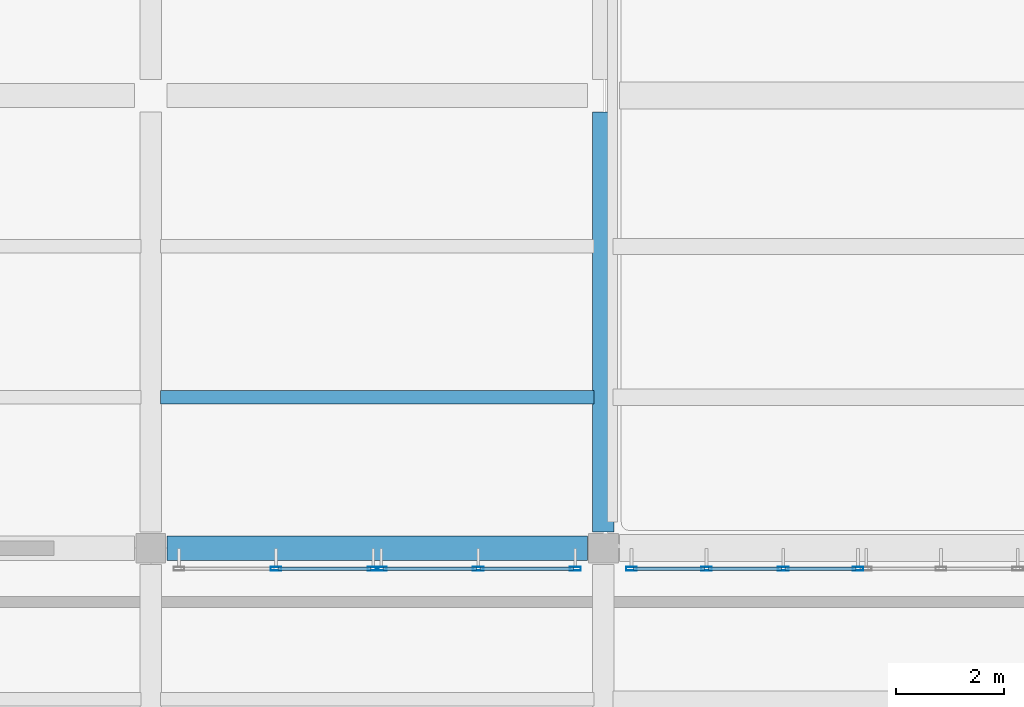
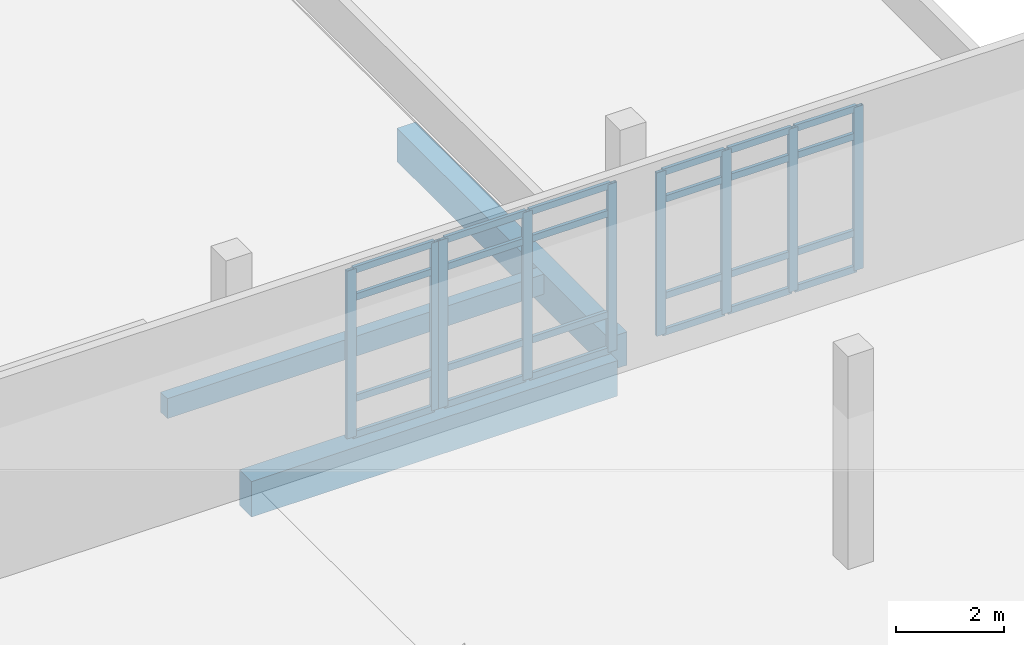
# One storey, part 27 of 63: 33 members, 3 beams, 3 elements without a shape of their own.
"""IFC4 building model written with IfcOpenShell, lengths in metres."""

from ifc_helpers import new_model, si_unit, derived_unit, direction, frame, origin, origin_2d, place, context, subcontext, project, spatial, rectangle, hollow_rectangle, extrude, material, layer, layer_set, material_profile, profile_set, type_object, element, aggregate, save


model = new_model("IFC4")

# Units and contexts
model_context = context("Model", 3, precision=1e-05, world=origin(), true_north=direction((0.0, 1.0)))
body_context = subcontext(model_context, "Body", "Model", "MODEL_VIEW")
ifc_project = project(units=[si_unit("LENGTHUNIT", "METRE"), si_unit("AREAUNIT", "SQUARE_METRE"), si_unit("VOLUMEUNIT", "CUBIC_METRE"), si_unit("PLANEANGLEUNIT", "RADIAN"), si_unit("MASSUNIT", "GRAM", prefix="KILO"), derived_unit("THERMALTRANSMITTANCEUNIT", [(si_unit("POWERUNIT", "WATT"), 1), (si_unit("LENGTHUNIT", "METRE"), -2), (si_unit("THERMODYNAMICTEMPERATUREUNIT", "KELVIN"), -1)])], contexts=[model_context])

# Site, building, storey
site_placement = place(None, origin())
site = spatial("IfcSite", under=ifc_project, at=site_placement, CompositionType="ELEMENT")
building_placement = place(site_placement, origin())
building = spatial("IfcBuilding", under=site, at=building_placement, Name="Elbkamm Science Centre", CompositionType="ELEMENT")
storey_placement = place(building_placement, frame((0.0, 0.0, 5.10009765625)))
storey = spatial("IfcBuildingStorey", under=building, at=storey_placement, Name="L01", CompositionType="ELEMENT", Elevation=5.10009765625)

# Beams
ifc_material_1 = material(Name="Concrete C40/50", Category="concrete")
ifc_material_profile_1 = material_profile(ifc_material_1, rectangle(XDim=0.39990234375, YDim=0.75, at=origin_2d()), Name="RC 400x750")
ifc_profile_set_1 = profile_set([ifc_material_profile_1], Name="Concrete C40/50")
beam_type_1 = type_object("IfcBeamType", Name="BM-RC-400x750", PredefinedType="BEAM", material=ifc_profile_set_1)
beam_1_placement = place(storey_placement, frame((151.199951171875, 75.89990234375, -0.625), z_axis=(0.0, 1.0, 0.0), x_axis=(-1.0, 0.0, 0.0)))
element("IfcBeam", 1, at=beam_1_placement, inside=storey, type_object=beam_type_1, Name="L01 Primary Y-Girder 069", PredefinedType="BEAM", context=body_context, shape_type="SweptSolid", body=[
    extrude(rectangle(XDim=0.39990234375, YDim=0.75, at=origin_2d()), origin(), (0.0, 0.0, 1.0), 7.800048828125),
])
ifc_material_profile_2 = material_profile(ifc_material_1, rectangle(XDim=0.449951171875, YDim=0.800048828125, at=origin_2d()), Name="RC 450x800")
ifc_profile_set_2 = profile_set([ifc_material_profile_2], Name="Concrete C40/50")
beam_type_2 = type_object("IfcBeamType", Name="BM-RC-450x800", PredefinedType="BEAM", material=ifc_profile_set_2)
beam_2_placement = place(storey_placement, frame((143.10009765625, 75.60009765625, -0.800048828125), z_axis=(1.0, 0.0, 0.0), x_axis=(0.0, 1.0, 0.0)))
element("IfcBeam", 2, at=beam_2_placement, inside=storey, type_object=beam_type_2, Name="L01 Primary X-Girder 074", PredefinedType="BEAM", context=body_context, shape_type="SweptSolid", body=[
    extrude(rectangle(XDim=0.449951171875, YDim=0.800048828125, at=origin_2d()), origin(), (0.0, 0.0, 1.0), 7.7998046875),
])

# Curtain wall, members
ifc_material_2 = material(Name="Powder-coated aluminium and triple low-E glazing", Category="aluminium")
ifc_layer_1 = layer(ifc_material_2, 0.159912109375)
ifc_layer_set_1 = layer_set([ifc_layer_1], Name="Powder-coated aluminium and triple low-E glazing")
curtain_wall_type_1 = type_object("IfcCurtainWallType", Name="CW-UNIT-3680x3780", PredefinedType="USERDEFINED", material=ifc_layer_set_1)
curtain_wall_1_placement = place(storey_placement, origin())
curtain_wall_1 = element("IfcCurtainWall", 3, at=curtain_wall_1_placement, inside=storey, type_object=curtain_wall_type_1, Name="L01 Unitised Curtain Wall 161", ObjectType="UNITISED CURTAIN WALL", PredefinedType="USERDEFINED")
ifc_material_3 = material(Name="Powder-coated aluminium EN AW-6060", Category="aluminium")
ifc_material_profile_3 = material_profile(ifc_material_3, hollow_rectangle(XDim=0.070068359375, YDim=0.199951171875, WallThickness=0.00439453125, at=origin_2d()), Name="ALU M70x200")
ifc_profile_set_3 = profile_set([ifc_material_profile_3], Name="Powder-coated aluminium EN AW-6060")
member_type_1 = type_object("IfcMemberType", Name="CW-MUL-70x200", PredefinedType="MULLION", material=ifc_profile_set_3)
member_1_placement = place(storey_placement, frame((145.123046875, 75.219970703125, 0.0), z_axis=(0.0, 0.0, 1.0), x_axis=(0.0, 1.0, 0.0)))
member_1 = element("IfcMember", 4, at=member_1_placement, type_object=member_type_1, Name="CW-075 mullion 2", PredefinedType="MULLION", context=body_context, shape_type="SweptSolid", body=[
    extrude(hollow_rectangle(XDim=0.070068359375, YDim=0.199951171875, WallThickness=0.00439453125, at=origin_2d()), origin(), (0.0, 0.0, 1.0), 3.77978515625),
])
member_2_placement = place(storey_placement, frame((146.925048828125, 75.219970703125, 0.0), z_axis=(0.0, 0.0, 1.0), x_axis=(0.0, 1.0, 0.0)))
member_2 = element("IfcMember", 5, at=member_2_placement, type_object=member_type_1, Name="CW-075 mullion 3", PredefinedType="MULLION", context=body_context, shape_type="SweptSolid", body=[
    extrude(hollow_rectangle(XDim=0.070068359375, YDim=0.199951171875, WallThickness=0.00439453125, at=origin_2d()), origin(), (0.0, 0.0, 1.0), 3.77978515625),
])

curtain_wall_2_placement = place(storey_placement, origin())
curtain_wall_2 = element("IfcCurtainWall", 6, at=curtain_wall_2_placement, inside=storey, type_object=curtain_wall_type_1, Name="L01 Unitised Curtain Wall 162", ObjectType="UNITISED CURTAIN WALL", PredefinedType="USERDEFINED")
member_3_placement = place(storey_placement, frame((147.074951171875, 75.219970703125, 0.0), z_axis=(0.0, 0.0, 1.0), x_axis=(0.0, 1.0, 0.0)))
member_3 = element("IfcMember", 7, at=member_3_placement, type_object=member_type_1, Name="CW-075 mullion 1", PredefinedType="MULLION", context=body_context, shape_type="SweptSolid", body=[
    extrude(hollow_rectangle(XDim=0.070068359375, YDim=0.199951171875, WallThickness=0.00439453125, at=origin_2d()), origin(), (0.0, 0.0, 1.0), 3.77978515625),
])
member_4_placement = place(storey_placement, frame((148.876953125, 75.219970703125, 0.0), z_axis=(0.0, 0.0, 1.0), x_axis=(0.0, 1.0, 0.0)))
member_4 = element("IfcMember", 8, at=member_4_placement, type_object=member_type_1, Name="CW-075 mullion 2", PredefinedType="MULLION", context=body_context, shape_type="SweptSolid", body=[
    extrude(hollow_rectangle(XDim=0.070068359375, YDim=0.199951171875, WallThickness=0.00439453125, at=origin_2d()), origin(), (0.0, 0.0, 1.0), 3.77978515625),
])
member_5_placement = place(storey_placement, frame((150.6787109375, 75.219970703125, 0.0), z_axis=(0.0, 0.0, 1.0), x_axis=(0.0, 1.0, 0.0)))
member_5 = element("IfcMember", 9, at=member_5_placement, type_object=member_type_1, Name="CW-075 mullion 3", PredefinedType="MULLION", context=body_context, shape_type="SweptSolid", body=[
    extrude(hollow_rectangle(XDim=0.070068359375, YDim=0.199951171875, WallThickness=0.00439453125, at=origin_2d()), origin(), (0.0, 0.0, 1.0), 3.77978515625),
])

ifc_layer_2 = layer(ifc_material_2, 0.159912109375)
ifc_layer_set_2 = layer_set([ifc_layer_2], Name="Powder-coated aluminium and triple low-E glazing")
curtain_wall_type_2 = type_object("IfcCurtainWallType", Name="CW-UNIT-4280x3680", PredefinedType="USERDEFINED", material=ifc_layer_set_2)
curtain_wall_3_placement = place(storey_placement, origin())
curtain_wall_3 = element("IfcCurtainWall", 10, at=curtain_wall_3_placement, inside=storey, type_object=curtain_wall_type_2, Name="L01 Unitised Curtain Wall 163", ObjectType="UNITISED CURTAIN WALL", PredefinedType="USERDEFINED")
member_6_placement = place(storey_placement, frame((151.72119140625, 75.219970703125, 0.0), z_axis=(0.0, 0.0, 1.0), x_axis=(0.0, 1.0, 0.0)))
member_6 = element("IfcMember", 11, at=member_6_placement, type_object=member_type_1, Name="CW-076 mullion 1", PredefinedType="MULLION", context=body_context, shape_type="SweptSolid", body=[
    extrude(hollow_rectangle(XDim=0.070068359375, YDim=0.199951171875, WallThickness=0.00439453125, at=origin_2d()), origin(), (0.0, 0.0, 1.0), 3.679931640625),
])
member_7_placement = place(storey_placement, frame((153.11083984375, 75.219970703125, 0.0), z_axis=(0.0, 0.0, 1.0), x_axis=(0.0, 1.0, 0.0)))
member_7 = element("IfcMember", 12, at=member_7_placement, type_object=member_type_1, Name="CW-076 mullion 2", PredefinedType="MULLION", context=body_context, shape_type="SweptSolid", body=[
    extrude(hollow_rectangle(XDim=0.070068359375, YDim=0.199951171875, WallThickness=0.00439453125, at=origin_2d()), origin(), (0.0, 0.0, 1.0), 3.679931640625),
])
member_8_placement = place(storey_placement, frame((154.535400390625, 75.219970703125, 0.0), z_axis=(0.0, 0.0, 1.0), x_axis=(0.0, 1.0, 0.0)))
member_8 = element("IfcMember", 13, at=member_8_placement, type_object=member_type_1, Name="CW-076 mullion 3", PredefinedType="MULLION", context=body_context, shape_type="SweptSolid", body=[
    extrude(hollow_rectangle(XDim=0.070068359375, YDim=0.199951171875, WallThickness=0.00439453125, at=origin_2d()), origin(), (0.0, 0.0, 1.0), 3.679931640625),
])
member_9_placement = place(storey_placement, frame((155.925048828125, 75.219970703125, 0.0), z_axis=(0.0, 0.0, 1.0), x_axis=(0.0, 1.0, 0.0)))
member_9 = element("IfcMember", 14, at=member_9_placement, type_object=member_type_1, Name="CW-076 mullion 4", PredefinedType="MULLION", context=body_context, shape_type="SweptSolid", body=[
    extrude(hollow_rectangle(XDim=0.070068359375, YDim=0.199951171875, WallThickness=0.00439453125, at=origin_2d()), origin(), (0.0, 0.0, 1.0), 3.679931640625),
])

# Member
ifc_material_profile_4 = material_profile(ifc_material_3, hollow_rectangle(XDim=0.070068359375, YDim=0.14990234375, WallThickness=0.00390625, at=origin_2d()), Name="ALU T70x150")
ifc_profile_set_4 = profile_set([ifc_material_profile_4], Name="Powder-coated aluminium EN AW-6060")
member_type_2 = type_object("IfcMemberType", Name="CW-TRN-70x150", PredefinedType="USERDEFINED", material=ifc_profile_set_4)
member_10_placement = place(storey_placement, frame((145.158203125, 75.219970703125, 0.034912109375), z_axis=(1.0, 0.0, 0.0), x_axis=(0.0, 1.0, 0.0)))
member_10 = element("IfcMember", 15, at=member_10_placement, type_object=member_type_2, Name="CW-075 transom 2.1", ObjectType="TRANSOM", PredefinedType="USERDEFINED", context=body_context, shape_type="SweptSolid", body=[
    extrude(hollow_rectangle(XDim=0.070068359375, YDim=0.14990234375, WallThickness=0.00390625, at=origin_2d()), origin(), (0.0, 0.0, 1.0), 1.731689453125),
])

member_11_placement = place(storey_placement, frame((145.158203125, 75.219970703125, 0.849853515625), z_axis=(1.0, 0.0, 0.0), x_axis=(0.0, 1.0, 0.0)))
member_11 = element("IfcMember", 16, at=member_11_placement, type_object=member_type_2, Name="CW-075 transom 2.2", ObjectType="TRANSOM", PredefinedType="USERDEFINED", context=body_context, shape_type="SweptSolid", body=[
    extrude(hollow_rectangle(XDim=0.070068359375, YDim=0.14990234375, WallThickness=0.00390625, at=origin_2d()), origin(), (0.0, 0.0, 1.0), 1.731689453125),
])

member_12_placement = place(storey_placement, frame((145.158203125, 75.219970703125, 3.1298828125), z_axis=(1.0, 0.0, 0.0), x_axis=(0.0, 1.0, 0.0)))
member_12 = element("IfcMember", 17, at=member_12_placement, type_object=member_type_2, Name="CW-075 transom 2.3", ObjectType="TRANSOM", PredefinedType="USERDEFINED", context=body_context, shape_type="SweptSolid", body=[
    extrude(hollow_rectangle(XDim=0.070068359375, YDim=0.14990234375, WallThickness=0.00390625, at=origin_2d()), origin(), (0.0, 0.0, 1.0), 1.731689453125),
])

member_13_placement = place(storey_placement, frame((145.158203125, 75.219970703125, 3.744873046875), z_axis=(1.0, 0.0, 0.0), x_axis=(0.0, 1.0, 0.0)))
member_13 = element("IfcMember", 18, at=member_13_placement, type_object=member_type_2, Name="CW-075 transom 2.4", ObjectType="TRANSOM", PredefinedType="USERDEFINED", context=body_context, shape_type="SweptSolid", body=[
    extrude(hollow_rectangle(XDim=0.070068359375, YDim=0.14990234375, WallThickness=0.00390625, at=origin_2d()), origin(), (0.0, 0.0, 1.0), 1.731689453125),
])

aggregate(curtain_wall_1, [member_1, member_2, member_10, member_11, member_12, member_13])

member_14_placement = place(storey_placement, frame((147.110107421875, 75.219970703125, 0.034912109375), z_axis=(1.0, 0.0, 0.0), x_axis=(0.0, 1.0, 0.0)))
member_14 = element("IfcMember", 19, at=member_14_placement, type_object=member_type_2, Name="CW-075 transom 1.1", ObjectType="TRANSOM", PredefinedType="USERDEFINED", context=body_context, shape_type="SweptSolid", body=[
    extrude(hollow_rectangle(XDim=0.070068359375, YDim=0.14990234375, WallThickness=0.00390625, at=origin_2d()), origin(), (0.0, 0.0, 1.0), 1.731689453125),
])

member_15_placement = place(storey_placement, frame((147.110107421875, 75.219970703125, 0.849853515625), z_axis=(1.0, 0.0, 0.0), x_axis=(0.0, 1.0, 0.0)))
member_15 = element("IfcMember", 20, at=member_15_placement, type_object=member_type_2, Name="CW-075 transom 1.2", ObjectType="TRANSOM", PredefinedType="USERDEFINED", context=body_context, shape_type="SweptSolid", body=[
    extrude(hollow_rectangle(XDim=0.070068359375, YDim=0.14990234375, WallThickness=0.00390625, at=origin_2d()), origin(), (0.0, 0.0, 1.0), 1.731689453125),
])

member_16_placement = place(storey_placement, frame((147.110107421875, 75.219970703125, 3.1298828125), z_axis=(1.0, 0.0, 0.0), x_axis=(0.0, 1.0, 0.0)))
member_16 = element("IfcMember", 21, at=member_16_placement, type_object=member_type_2, Name="CW-075 transom 1.3", ObjectType="TRANSOM", PredefinedType="USERDEFINED", context=body_context, shape_type="SweptSolid", body=[
    extrude(hollow_rectangle(XDim=0.070068359375, YDim=0.14990234375, WallThickness=0.00390625, at=origin_2d()), origin(), (0.0, 0.0, 1.0), 1.731689453125),
])

member_17_placement = place(storey_placement, frame((147.110107421875, 75.219970703125, 3.744873046875), z_axis=(1.0, 0.0, 0.0), x_axis=(0.0, 1.0, 0.0)))
member_17 = element("IfcMember", 22, at=member_17_placement, type_object=member_type_2, Name="CW-075 transom 1.4", ObjectType="TRANSOM", PredefinedType="USERDEFINED", context=body_context, shape_type="SweptSolid", body=[
    extrude(hollow_rectangle(XDim=0.070068359375, YDim=0.14990234375, WallThickness=0.00390625, at=origin_2d()), origin(), (0.0, 0.0, 1.0), 1.731689453125),
])

member_18_placement = place(storey_placement, frame((148.911865234375, 75.219970703125, 0.034912109375), z_axis=(1.0, 0.0, 0.0), x_axis=(0.0, 1.0, 0.0)))
member_18 = element("IfcMember", 23, at=member_18_placement, type_object=member_type_2, Name="CW-075 transom 2.1", ObjectType="TRANSOM", PredefinedType="USERDEFINED", context=body_context, shape_type="SweptSolid", body=[
    extrude(hollow_rectangle(XDim=0.070068359375, YDim=0.14990234375, WallThickness=0.00390625, at=origin_2d()), origin(), (0.0, 0.0, 1.0), 1.73193359375),
])

member_19_placement = place(storey_placement, frame((148.911865234375, 75.219970703125, 0.849853515625), z_axis=(1.0, 0.0, 0.0), x_axis=(0.0, 1.0, 0.0)))
member_19 = element("IfcMember", 24, at=member_19_placement, type_object=member_type_2, Name="CW-075 transom 2.2", ObjectType="TRANSOM", PredefinedType="USERDEFINED", context=body_context, shape_type="SweptSolid", body=[
    extrude(hollow_rectangle(XDim=0.070068359375, YDim=0.14990234375, WallThickness=0.00390625, at=origin_2d()), origin(), (0.0, 0.0, 1.0), 1.73193359375),
])

member_20_placement = place(storey_placement, frame((148.911865234375, 75.219970703125, 3.1298828125), z_axis=(1.0, 0.0, 0.0), x_axis=(0.0, 1.0, 0.0)))
member_20 = element("IfcMember", 25, at=member_20_placement, type_object=member_type_2, Name="CW-075 transom 2.3", ObjectType="TRANSOM", PredefinedType="USERDEFINED", context=body_context, shape_type="SweptSolid", body=[
    extrude(hollow_rectangle(XDim=0.070068359375, YDim=0.14990234375, WallThickness=0.00390625, at=origin_2d()), origin(), (0.0, 0.0, 1.0), 1.73193359375),
])

member_21_placement = place(storey_placement, frame((148.911865234375, 75.219970703125, 3.744873046875), z_axis=(1.0, 0.0, 0.0), x_axis=(0.0, 1.0, 0.0)))
member_21 = element("IfcMember", 26, at=member_21_placement, type_object=member_type_2, Name="CW-075 transom 2.4", ObjectType="TRANSOM", PredefinedType="USERDEFINED", context=body_context, shape_type="SweptSolid", body=[
    extrude(hollow_rectangle(XDim=0.070068359375, YDim=0.14990234375, WallThickness=0.00390625, at=origin_2d()), origin(), (0.0, 0.0, 1.0), 1.73193359375),
])

aggregate(curtain_wall_2, [member_3, member_4, member_5, member_14, member_15, member_16, member_17, member_18, member_19, member_20, member_21])

member_22_placement = place(storey_placement, frame((151.75634765625, 75.219970703125, 0.034912109375), z_axis=(1.0, 0.0, 0.0), x_axis=(0.0, 1.0, 0.0)))
member_22 = element("IfcMember", 27, at=member_22_placement, type_object=member_type_2, Name="CW-076 transom 1.1", ObjectType="TRANSOM", PredefinedType="USERDEFINED", context=body_context, shape_type="SweptSolid", body=[
    extrude(hollow_rectangle(XDim=0.070068359375, YDim=0.14990234375, WallThickness=0.00390625, at=origin_2d()), origin(), (0.0, 0.0, 1.0), 1.319580078125),
])

member_23_placement = place(storey_placement, frame((151.75634765625, 75.219970703125, 0.849853515625), z_axis=(1.0, 0.0, 0.0), x_axis=(0.0, 1.0, 0.0)))
member_23 = element("IfcMember", 28, at=member_23_placement, type_object=member_type_2, Name="CW-076 transom 1.2", ObjectType="TRANSOM", PredefinedType="USERDEFINED", context=body_context, shape_type="SweptSolid", body=[
    extrude(hollow_rectangle(XDim=0.070068359375, YDim=0.14990234375, WallThickness=0.00390625, at=origin_2d()), origin(), (0.0, 0.0, 1.0), 1.319580078125),
])

member_24_placement = place(storey_placement, frame((151.75634765625, 75.219970703125, 3.02978515625), z_axis=(1.0, 0.0, 0.0), x_axis=(0.0, 1.0, 0.0)))
member_24 = element("IfcMember", 29, at=member_24_placement, type_object=member_type_2, Name="CW-076 transom 1.3", ObjectType="TRANSOM", PredefinedType="USERDEFINED", context=body_context, shape_type="SweptSolid", body=[
    extrude(hollow_rectangle(XDim=0.070068359375, YDim=0.14990234375, WallThickness=0.00390625, at=origin_2d()), origin(), (0.0, 0.0, 1.0), 1.319580078125),
])

member_25_placement = place(storey_placement, frame((151.75634765625, 75.219970703125, 3.64501953125), z_axis=(1.0, 0.0, 0.0), x_axis=(0.0, 1.0, 0.0)))
member_25 = element("IfcMember", 30, at=member_25_placement, type_object=member_type_2, Name="CW-076 transom 1.4", ObjectType="TRANSOM", PredefinedType="USERDEFINED", context=body_context, shape_type="SweptSolid", body=[
    extrude(hollow_rectangle(XDim=0.070068359375, YDim=0.14990234375, WallThickness=0.00390625, at=origin_2d()), origin(), (0.0, 0.0, 1.0), 1.319580078125),
])

member_26_placement = place(storey_placement, frame((153.145751953125, 75.219970703125, 0.034912109375), z_axis=(1.0, 0.0, 0.0), x_axis=(0.0, 1.0, 0.0)))
member_26 = element("IfcMember", 31, at=member_26_placement, type_object=member_type_2, Name="CW-076 transom 2.1", ObjectType="TRANSOM", PredefinedType="USERDEFINED", context=body_context, shape_type="SweptSolid", body=[
    extrude(hollow_rectangle(XDim=0.070068359375, YDim=0.14990234375, WallThickness=0.00390625, at=origin_2d()), origin(), (0.0, 0.0, 1.0), 1.354736328125),
])

member_27_placement = place(storey_placement, frame((153.145751953125, 75.219970703125, 0.849853515625), z_axis=(1.0, 0.0, 0.0), x_axis=(0.0, 1.0, 0.0)))
member_27 = element("IfcMember", 32, at=member_27_placement, type_object=member_type_2, Name="CW-076 transom 2.2", ObjectType="TRANSOM", PredefinedType="USERDEFINED", context=body_context, shape_type="SweptSolid", body=[
    extrude(hollow_rectangle(XDim=0.070068359375, YDim=0.14990234375, WallThickness=0.00390625, at=origin_2d()), origin(), (0.0, 0.0, 1.0), 1.354736328125),
])

member_28_placement = place(storey_placement, frame((153.145751953125, 75.219970703125, 3.02978515625), z_axis=(1.0, 0.0, 0.0), x_axis=(0.0, 1.0, 0.0)))
member_28 = element("IfcMember", 33, at=member_28_placement, type_object=member_type_2, Name="CW-076 transom 2.3", ObjectType="TRANSOM", PredefinedType="USERDEFINED", context=body_context, shape_type="SweptSolid", body=[
    extrude(hollow_rectangle(XDim=0.070068359375, YDim=0.14990234375, WallThickness=0.00390625, at=origin_2d()), origin(), (0.0, 0.0, 1.0), 1.354736328125),
])

member_29_placement = place(storey_placement, frame((153.145751953125, 75.219970703125, 3.64501953125), z_axis=(1.0, 0.0, 0.0), x_axis=(0.0, 1.0, 0.0)))
member_29 = element("IfcMember", 34, at=member_29_placement, type_object=member_type_2, Name="CW-076 transom 2.4", ObjectType="TRANSOM", PredefinedType="USERDEFINED", context=body_context, shape_type="SweptSolid", body=[
    extrude(hollow_rectangle(XDim=0.070068359375, YDim=0.14990234375, WallThickness=0.00390625, at=origin_2d()), origin(), (0.0, 0.0, 1.0), 1.354736328125),
])

member_30_placement = place(storey_placement, frame((154.5703125, 75.219970703125, 0.034912109375), z_axis=(1.0, 0.0, 0.0), x_axis=(0.0, 1.0, 0.0)))
member_30 = element("IfcMember", 35, at=member_30_placement, type_object=member_type_2, Name="CW-076 transom 3.1", ObjectType="TRANSOM", PredefinedType="USERDEFINED", context=body_context, shape_type="SweptSolid", body=[
    extrude(hollow_rectangle(XDim=0.070068359375, YDim=0.14990234375, WallThickness=0.00390625, at=origin_2d()), origin(), (0.0, 0.0, 1.0), 1.319580078125),
])

member_31_placement = place(storey_placement, frame((154.5703125, 75.219970703125, 0.849853515625), z_axis=(1.0, 0.0, 0.0), x_axis=(0.0, 1.0, 0.0)))
member_31 = element("IfcMember", 36, at=member_31_placement, type_object=member_type_2, Name="CW-076 transom 3.2", ObjectType="TRANSOM", PredefinedType="USERDEFINED", context=body_context, shape_type="SweptSolid", body=[
    extrude(hollow_rectangle(XDim=0.070068359375, YDim=0.14990234375, WallThickness=0.00390625, at=origin_2d()), origin(), (0.0, 0.0, 1.0), 1.319580078125),
])

member_32_placement = place(storey_placement, frame((154.5703125, 75.219970703125, 3.02978515625), z_axis=(1.0, 0.0, 0.0), x_axis=(0.0, 1.0, 0.0)))
member_32 = element("IfcMember", 37, at=member_32_placement, type_object=member_type_2, Name="CW-076 transom 3.3", ObjectType="TRANSOM", PredefinedType="USERDEFINED", context=body_context, shape_type="SweptSolid", body=[
    extrude(hollow_rectangle(XDim=0.070068359375, YDim=0.14990234375, WallThickness=0.00390625, at=origin_2d()), origin(), (0.0, 0.0, 1.0), 1.319580078125),
])

member_33_placement = place(storey_placement, frame((154.5703125, 75.219970703125, 3.64501953125), z_axis=(1.0, 0.0, 0.0), x_axis=(0.0, 1.0, 0.0)))
member_33 = element("IfcMember", 38, at=member_33_placement, type_object=member_type_2, Name="CW-076 transom 3.4", ObjectType="TRANSOM", PredefinedType="USERDEFINED", context=body_context, shape_type="SweptSolid", body=[
    extrude(hollow_rectangle(XDim=0.070068359375, YDim=0.14990234375, WallThickness=0.00390625, at=origin_2d()), origin(), (0.0, 0.0, 1.0), 1.319580078125),
])

aggregate(curtain_wall_3, [member_6, member_7, member_8, member_9, member_22, member_23, member_24, member_25, member_26, member_27, member_28, member_29, member_30, member_31, member_32, member_33])

# Beam
ifc_material_profile_5 = material_profile(ifc_material_1, rectangle(XDim=0.25, YDim=0.449951171875, at=origin_2d()), Name="RC 250x450")
ifc_profile_set_5 = profile_set([ifc_material_profile_5], Name="Concrete C40/50")
beam_type_3 = type_object("IfcBeamType", Name="JST-RC-250x450", PredefinedType="JOIST", material=ifc_profile_set_5)
beam_3_placement = place(storey_placement, frame((142.97998046875, 78.39990234375, -0.47509765625), z_axis=(1.0, 0.0, 0.0), x_axis=(0.0, 1.0, 0.0)))
element("IfcBeam", 39, at=beam_3_placement, inside=storey, type_object=beam_type_3, Name="L01 Secondary Floor Joist 081", PredefinedType="JOIST", context=body_context, shape_type="SweptSolid", body=[
    extrude(rectangle(XDim=0.25, YDim=0.449951171875, at=origin_2d()), origin(), (0.0, 0.0, 1.0), 8.0400390625),
])

save(model, "model.ifc")
